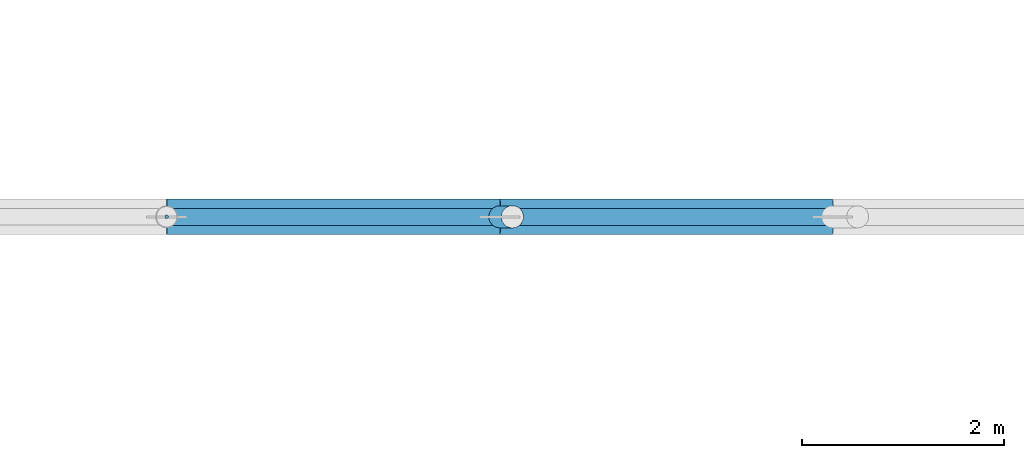
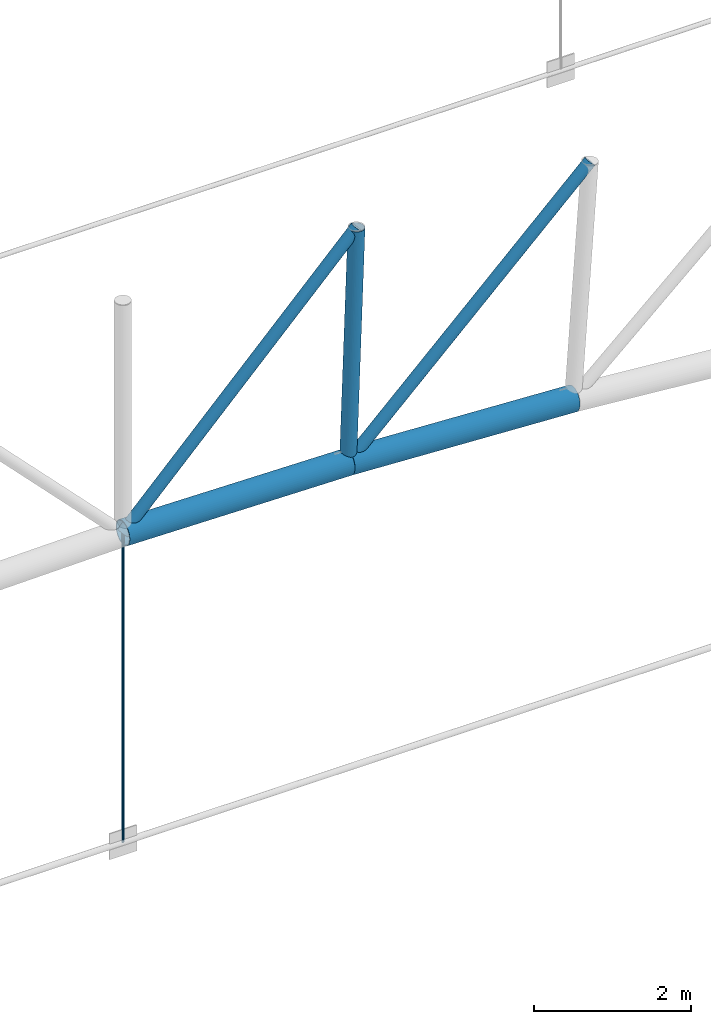
# One storey, part 65 of 321: 6 members.
"""IFC4 building model written with IfcOpenShell, lengths in metres."""

import ifcopenshell
import ifcopenshell.guid

model = None  # the IFC model being written
_history = None  # IfcOwnerHistory: only IFC2X3 demands one
_inside = {}  # id of a spatial element -> (the spatial element, [elements in it])
_under = {}  # id of a project, library or spatial element -> (it, [spatial elements below it])
_declared = {}  # id of a project -> (the project, [libraries it declares])
_typed = {}  # id of a type object -> (the type object, [elements of that type])
_made_of = {}  # id of a material, layer set ... -> (it, [elements and type objects made of it])


def new_model(schema):
    """Start an empty IFC model of exactly this schema.

    Asked for "IFC4X3", IfcOpenShell would pick the latest addendum, in which some entities
    have other attributes; the version numbers below select the first issue.
    IFC2X3 requires an IfcOwnerHistory on every rooted entity: one is made here for all.
    """
    global model, _history
    if schema == "IFC4X3":
        model = ifcopenshell.file(schema_version=(4, 3, 0, 0))
    else:
        model = ifcopenshell.file(schema=schema)
    _inside.clear()
    _under.clear()
    _declared.clear()
    _typed.clear()
    _made_of.clear()
    _history = None
    if model.schema == "IFC2X3":
        org = make("IfcOrganization", Name="unknown")
        user = make(
            "IfcPersonAndOrganization",
            ThePerson=make("IfcPerson", FamilyName="unknown"),
            TheOrganization=org,
        )
        app = make(
            "IfcApplication",
            ApplicationDeveloper=org,
            Version="unknown",
            ApplicationFullName="unknown",
            ApplicationIdentifier="unknown",
        )
        _history = make(
            "IfcOwnerHistory",
            OwningUser=user,
            OwningApplication=app,
            ChangeAction="ADDED",
            CreationDate=0,
        )
    return model


def make(cls, **values):
    """One entity of the class cls with the attributes given. An attribute that is None is left unset."""
    return model.create_entity(
        cls, **{name: value for name, value in values.items() if value is not None}
    )


def rooted(cls, **values):
    """An entity with a GlobalId (a new one), such as an element, a storey or a relation."""
    return make(cls, GlobalId=ifcopenshell.guid.new(), OwnerHistory=_history, **values)


def si_unit(unit_type, name, prefix=None):
    """IfcSIUnit, for example si_unit("LENGTHUNIT", "METRE", prefix="MILLI")."""
    return make("IfcSIUnit", UnitType=unit_type, Prefix=prefix, Name=name)


def assignment(units):
    """IfcUnitAssignment: the units of a project."""
    return None if units is None else make("IfcUnitAssignment", Units=units)


def point(xyz):
    """IfcCartesianPoint."""
    return None if xyz is None else make("IfcCartesianPoint", Coordinates=xyz)


def direction(xyz):
    """IfcDirection."""
    return None if xyz is None else make("IfcDirection", DirectionRatios=xyz)


def frame(location, z_axis=None, x_axis=None):
    """IfcAxis2Placement3D, a coordinate frame: its origin and axes. An axis left out is left unset."""
    return make(
        "IfcAxis2Placement3D",
        Location=point(location),
        Axis=direction(z_axis),
        RefDirection=direction(x_axis),
    )


def frame_2d(location, x_axis=None):
    """IfcAxis2Placement2D, a coordinate frame in the plane: its origin and x axis."""
    return make(
        "IfcAxis2Placement2D", Location=point(location), RefDirection=direction(x_axis)
    )


def origin():
    """The frame at (0, 0, 0) with its axes left unset."""
    return frame((0.0, 0.0, 0.0))


def origin_2d():
    """The frame at (0, 0) in the plane with its x axis left unset."""
    return frame_2d((0.0, 0.0))


def place(relative_to, where):
    """IfcLocalPlacement: puts the frame where relative to a parent placement (None: the world)."""
    return make(
        "IfcLocalPlacement", PlacementRelTo=relative_to, RelativePlacement=where
    )


def context(
    kind, dimensions, precision=None, world=None, true_north=None, identifier=None
):
    """IfcGeometricRepresentationContext, for example the 3D "Model" context."""
    return make(
        "IfcGeometricRepresentationContext",
        ContextIdentifier=identifier,
        ContextType=kind,
        CoordinateSpaceDimension=dimensions,
        Precision=precision,
        WorldCoordinateSystem=world,
        TrueNorth=true_north,
    )


def subcontext(parent, identifier, kind, view, scale=None):
    """IfcGeometricRepresentationSubContext, for example "Body" below "Model"."""
    return make(
        "IfcGeometricRepresentationSubContext",
        ContextIdentifier=identifier,
        ContextType=kind,
        ParentContext=parent,
        TargetScale=scale,
        TargetView=view,
    )


def project(units=None, contexts=None):
    """IfcProject with its units and contexts."""
    return rooted(
        "IfcProject",
        Name="project",
        RepresentationContexts=contexts,
        UnitsInContext=assignment(units),
    )


def spatial(cls, under=None, at=None, **own):
    """A site, building, storey or space (cls), placed at a placement, below another one or the project."""
    s = rooted(cls, ObjectPlacement=at, **own)
    if under is not None:
        _under.setdefault(under.id(), (under, []))[1].append(s)
    return s


def profile(cls, at=None, kind="AREA", **sizes):
    """A parametric profile (cls). Its sizes go by their IFC names, for example OverallWidth=200.0."""
    return make(cls, ProfileType=kind, Position=at, **sizes)


def circle(**sizes):
    """IfcCircleProfileDef."""
    return profile("IfcCircleProfileDef", **sizes)


def hollow_circle(**sizes):
    """IfcCircleHollowProfileDef."""
    return profile("IfcCircleHollowProfileDef", **sizes)


def extrude(swept, where, along, depth):
    """IfcExtrudedAreaSolid: the profile swept, set in the frame where, extruded along a direction by depth."""
    return make(
        "IfcExtrudedAreaSolid",
        SweptArea=swept,
        Position=where,
        ExtrudedDirection=direction(along),
        Depth=depth,
    )


def shape(context_of_items, identifier, shape_type, items):
    """IfcShapeRepresentation: the items that make up one representation, for example the "Body"."""
    return make(
        "IfcShapeRepresentation",
        ContextOfItems=context_of_items,
        RepresentationIdentifier=identifier,
        RepresentationType=shape_type,
        Items=items,
    )


def material(Name=None, Category=None):
    """IfcMaterial."""
    return make("IfcMaterial", Name=Name, Category=Category)


def material_profile(
    of_material, cross_section, Name=None, Category=None, Priority=None
):
    """IfcMaterialProfile: a cross section and its material."""
    return make(
        "IfcMaterialProfile",
        Name=Name,
        Material=of_material,
        Profile=cross_section,
        Priority=Priority,
        Category=Category,
    )


def profile_set(profiles, Name=None, composite=None):
    """IfcMaterialProfileSet."""
    return make(
        "IfcMaterialProfileSet",
        Name=Name,
        MaterialProfiles=profiles,
        CompositeProfile=composite,
    )


def made_of(thing, what):
    """Note that an element or type object is made of a material, layer set ...; save() writes the relation."""
    if what is not None:
        _made_of.setdefault(what.id(), (what, []))[1].append(thing)
    return thing


def type_object(cls, material=None, **own):
    """A type object (cls), such as IfcWallType, which elements share."""
    return made_of(rooted(cls, **own), material)


def element(
    cls,
    number,
    at=None,
    inside=None,
    cuts=None,
    type_object=None,
    material=None,
    context=None,
    identifier="Body",
    shape_type=None,
    held_by="IfcProductDefinitionShape",
    body=None,
    shapes=None,
    **own,
):
    """One element of the class cls, such as IfcWall. Its Tag is "e" and its number.

    at: its placement. inside: the storey or other place that contains it. cuts: it is an
    opening in that element (IfcRelVoidsElement). A single representation is given by context,
    identifier, shape_type and body (its items); several are given by shapes. held_by: the class
    of the entity that holds the representations. save() writes the other relations.
    """
    e = rooted(cls, Tag="e%d" % number, ObjectPlacement=at, **own)
    if body is not None:
        shapes = [shape(context, identifier, shape_type, body)]
    if shapes is not None:
        e.Representation = make(held_by, Representations=shapes)
    if inside is not None:
        _inside.setdefault(inside.id(), (inside, []))[1].append(e)
    if cuts is not None:
        rooted(
            "IfcRelVoidsElement", RelatingBuildingElement=cuts, RelatedOpeningElement=e
        )
    if type_object is not None:
        _typed.setdefault(type_object.id(), (type_object, []))[1].append(e)
    return made_of(e, material)


def aggregate(whole, parts):
    """IfcRelAggregates: a whole, such as a stair, and the parts it consists of."""
    return rooted("IfcRelAggregates", RelatingObject=whole, RelatedObjects=parts)


def save(model, path):
    """Write the relations noted so far, then the file.

    IfcRelAggregates (storeys below a building ...), IfcRelContainedInSpatialStructure (elements
    in a storey), IfcRelDefinesByType, IfcRelAssociatesMaterial and IfcRelDeclares: one each for
    every whole, place, type object, material and project.
    """
    for whole, parts in _under.values():
        aggregate(whole, parts)
    for where, things in _inside.values():
        rooted(
            "IfcRelContainedInSpatialStructure",
            RelatedElements=things,
            RelatingStructure=where,
        )
    for kind, things in _typed.values():
        rooted("IfcRelDefinesByType", RelatedObjects=things, RelatingType=kind)
    for what, things in _made_of.values():
        rooted("IfcRelAssociatesMaterial", RelatedObjects=things, RelatingMaterial=what)
    for by, libraries in _declared.values():
        rooted("IfcRelDeclares", RelatingContext=by, RelatedDefinitions=libraries)
    model.write(path)


model = new_model("IFC4")

# Units and contexts
model_context = context("Model", 3, precision=1e-05, world=origin(), true_north=direction((0.0, 1.0)))
body_context = subcontext(model_context, "Body", "Model", "MODEL_VIEW")
ifc_project = project(units=[si_unit("LENGTHUNIT", "METRE"), si_unit("AREAUNIT", "SQUARE_METRE"), si_unit("VOLUMEUNIT", "CUBIC_METRE"), si_unit("PLANEANGLEUNIT", "RADIAN"), si_unit("MASSUNIT", "GRAM", prefix="KILO")], contexts=[model_context])

# Site, building, storey
site_placement = place(None, origin())
site = spatial("IfcSite", under=ifc_project, at=site_placement, CompositionType="ELEMENT")
building_placement = place(site_placement, origin())
building = spatial("IfcBuilding", under=site, at=building_placement, Name="Ravi Spectrum Wholesale Market", CompositionType="ELEMENT")
storey_placement = place(building_placement, frame((0.0, 0.0, 10.800048828125)))
storey = spatial("IfcBuildingStorey", under=building, at=storey_placement, Name="L02", CompositionType="ELEMENT", Elevation=10.800048828125)

# Members
ifc_material_1 = material(Name="Steel S355", Category="steel")
ifc_material_profile_1 = material_profile(ifc_material_1, hollow_circle(Radius=0.084228515625, WallThickness=0.00634765625, at=origin_2d()))
ifc_profile_set_1 = profile_set([ifc_material_profile_1], Name="Steel S355")
member_type_1 = type_object("IfcMemberType", Name="CHS 168.3x6.3 brace", PredefinedType="BRACE", material=ifc_profile_set_1)
for number, where, z_axis, x_axis, name in (
    (1, (73.4296875, 78.0, 8.3408203125), (-0.695749704847, 0.0, -0.718284308756), (0.0, -1.0, 0.0), "H1-MB-L02-407"),
    (2, (76.85546875, 78.0, 8.163330078125), (-0.7201093859, 0.0, -0.69386055684), (0.0, -1.0, 0.0), "H1-MB-L02-408"),
):
    element("IfcMember", number, at=place(storey_placement, frame(where, z_axis=z_axis, x_axis=x_axis)), inside=storey, type_object=member_type_1, Name=name, PredefinedType="BRACE", context=body_context, shape_type="SweptSolid", body=[
        extrude(hollow_circle(Radius=0.084228515625, WallThickness=0.00634765625, at=origin_2d()), origin(), (0.0, 0.0, 1.0), 4.929443359375),
    ])
ifc_material_2 = material(Name="Steel S355", Category="steel")
ifc_material_profile_2 = material_profile(ifc_material_2, hollow_circle(Radius=0.109619140625, WallThickness=0.008056640625, at=origin_2d()))
ifc_profile_set_2 = profile_set([ifc_material_profile_2], Name="Steel S355")
member_type_2 = type_object("IfcMemberType", Name="CHS 219.1x8 post", PredefinedType="POST", material=ifc_profile_set_2)
member_1_placement = place(storey_placement, frame((73.4296875, 78.0, 8.3408203125), z_axis=(-0.034450597287, 0.0, -0.999406401994), x_axis=(0.0, -1.0, 0.0)))
element("IfcMember", 3, at=member_1_placement, inside=storey, type_object=member_type_2, Name="H1-MB-L02-385", PredefinedType="POST", context=body_context, shape_type="SweptSolid", body=[
    extrude(hollow_circle(Radius=0.109619140625, WallThickness=0.008056640625, at=origin_2d()), origin(), (0.0, 0.0, 1.0), 3.60009765625),
])
ifc_material_3 = material(Name="Steel S355", Category="steel")
ifc_material_profile_3 = material_profile(ifc_material_3, hollow_circle(Radius=0.177734375, WallThickness=0.012451171875, at=origin_2d()))
ifc_profile_set_3 = profile_set([ifc_material_profile_3], Name="Steel S355")
member_type_3 = type_object("IfcMemberType", Name="CHS 355.6x12.5 chord", PredefinedType="CHORD", material=ifc_profile_set_3)
for number, where, z_axis, x_axis, name in (
    (4, (70.0, 78.0, 4.800048828125), (0.999850697486, 0.0, -0.017279546766), (0.0, 1.0, 0.0), "H1-MB-L02-361"),
    (5, (73.3056640625, 78.0, 4.742919921875), (0.99866314533, 0.0, -0.051690638992), (0.0, 1.0, 0.0), "H1-MB-L02-362"),
):
    element("IfcMember", number, at=place(storey_placement, frame(where, z_axis=z_axis, x_axis=x_axis)), inside=storey, type_object=member_type_3, Name=name, PredefinedType="CHORD", context=body_context, shape_type="SweptSolid", body=[
        extrude(hollow_circle(Radius=0.177734375, WallThickness=0.012451171875, at=origin_2d()), origin(), (0.0, 0.0, 1.0), 3.30615234375),
    ])
ifc_material_4 = material(Name="Steel S355", Category="steel")
ifc_material_profile_4 = material_profile(ifc_material_4, circle(Radius=0.01806640625, at=origin_2d()))
ifc_profile_set_4 = profile_set([ifc_material_profile_4], Name="Steel S355")
member_type_4 = type_object("IfcMemberType", Name="ROD 36 hanger", PredefinedType="STRUT", material=ifc_profile_set_4)
member_2_placement = place(storey_placement, frame((70.0, 78.0, 0.0), z_axis=(0.0, 0.0, 1.0), x_axis=(1.0, 0.0, 0.0)))
element("IfcMember", 6, at=member_2_placement, inside=storey, type_object=member_type_4, Name="H1-MB-L02-421", PredefinedType="STRUT", context=body_context, shape_type="SweptSolid", body=[
    extrude(circle(Radius=0.01806640625, at=origin_2d()), origin(), (0.0, 0.0, 1.0), 4.800048828125),
])

save(model, "model.ifc")
